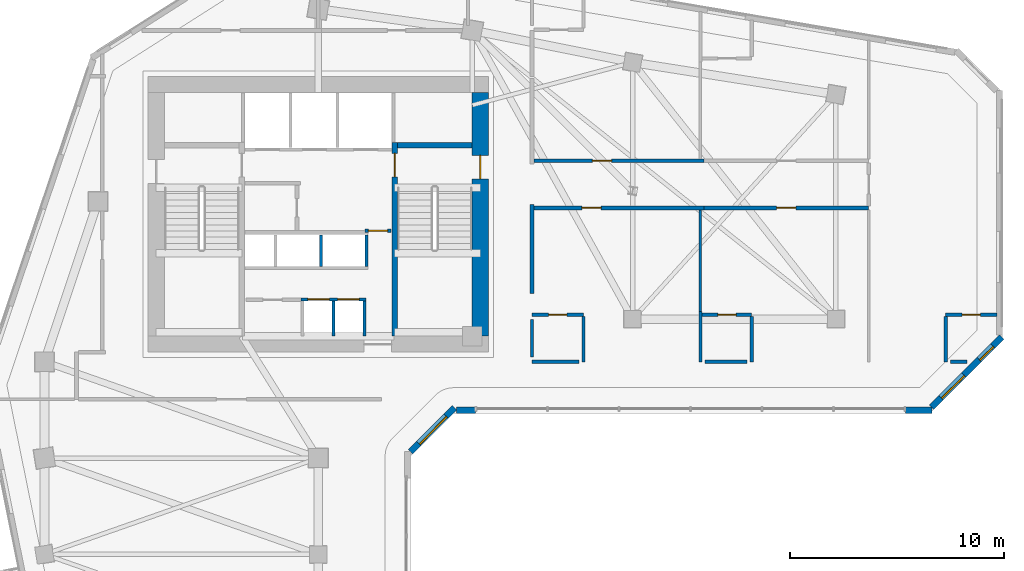
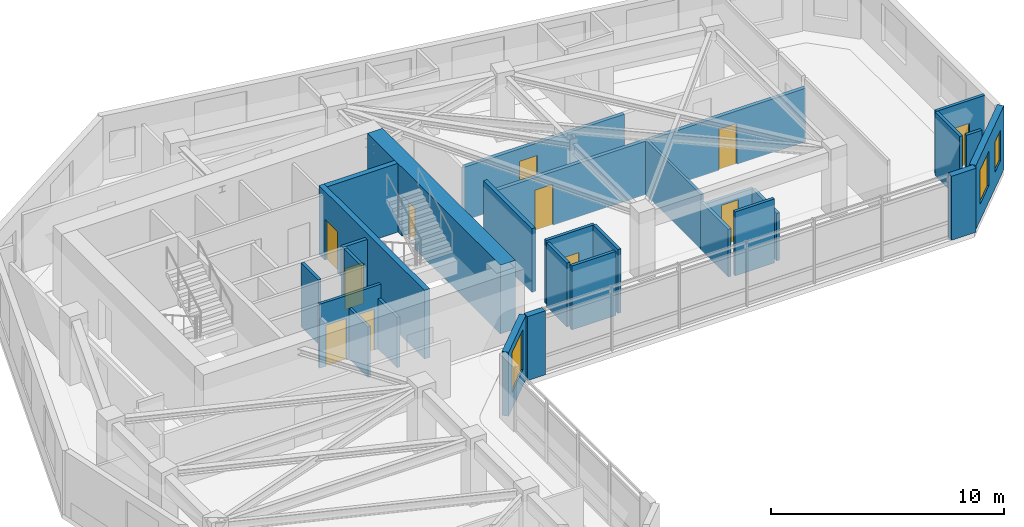
# One storey, part 6 of 11: 29 walls, 11 doors, 3 windows, 14 openings.
"""IFC4 building model written with IfcOpenShell, lengths in metres."""

from ifc_helpers import new_model, si_unit, direction, frame, frame_2d, origin, place, context, subcontext, project, spatial, rectangle, extrude, source, transform, mapped, material, layer, layer_set, type_object, element, fill, save


model = new_model("IFC4")

# Units and contexts
model_context = context("Model", 3, precision=1e-05, world=origin(), true_north=direction((0.0, 1.0)))
body_context = subcontext(model_context, "Body", "Model", "MODEL_VIEW")
ifc_project = project(units=[si_unit("LENGTHUNIT", "METRE"), si_unit("AREAUNIT", "SQUARE_METRE"), si_unit("VOLUMEUNIT", "CUBIC_METRE"), si_unit("PLANEANGLEUNIT", "RADIAN"), si_unit("MASSUNIT", "GRAM", prefix="KILO")], contexts=[model_context])

# Site, building, storey
site_placement = place(None, origin())
site = spatial("IfcSite", under=ifc_project, at=site_placement, CompositionType="ELEMENT")
building_placement = place(site_placement, origin())
building = spatial("IfcBuilding", under=site, at=building_placement, Name="Calvemar Wedge Station Tower", CompositionType="ELEMENT")
storey_placement = place(building_placement, frame((0.0, 0.0, 161.0)))
storey = spatial("IfcBuildingStorey", under=building, at=storey_placement, Name="L40", CompositionType="ELEMENT", Elevation=161.0)

# Wall, opening, door
ifc_material_1 = material(Name="Concrete C50", Category="concrete")
ifc_layer_1 = layer(ifc_material_1, 0.260009765625)
ifc_layer_set_1 = layer_set([ifc_layer_1], Name="Concrete C50")
wall_type_1 = type_object("IfcWallType", Name="SW-CORE-260", PredefinedType="SHEAR", material=ifc_layer_set_1)
wall_1_placement = place(storey_placement, frame((27.3701171875, 34.199951171875, 0.0), z_axis=(0.0, 0.0, 1.0), x_axis=(0.0, 1.0, 0.0)))
wall_1 = element("IfcWall", 1, at=wall_1_placement, inside=storey, type_object=wall_type_1, Name="Storey L40 Core Shear Wall SPINE-E", PredefinedType="SHEAR", context=body_context, shape_type="SweptSolid", body=[
    extrude(rectangle(XDim=9.06005859375, YDim=0.260009765625, at=frame_2d((4.530029296875, 0.0))), origin(), (0.0, 0.0, 1.0), 3.60009765625),
])
shared_shape_1 = source(origin(), body_context, "Body", "SweptSolid", [
    extrude(rectangle(XDim=1.10009765625, YDim=2.14990234375, at=frame_2d((0.550048828125, 1.074951171875))), frame((0.0, 0.14013671875, 0.0), z_axis=(0.0, -1.0, 0.0), x_axis=(1.0, 0.0, 0.0)), (0.0, 0.0, 1.0), 0.280029296875),
])
opening_1_placement = place(wall_1_placement, frame((7.449951171875, 0.0, 0.0)))
opening_1 = element("IfcOpeningElement", 2, at=opening_1_placement, cuts=wall_1, Name="Opening FD-90", PredefinedType="OPENING", context=body_context, shape_type="MappedRepresentation", body=[
    mapped(shared_shape_1, transform((0.0, 0.0, 0.0), scale=1.0)),
])
ifc_material_2 = material(Name="Galvanized fire-rated steel door leaf P-90", Category="steel")
door_type_1 = type_object("IfcDoorType", Name="DR-FD90-1100", OperationType="NOTDEFINED", PredefinedType="DOOR", material=ifc_material_2)
shared_shape_2 = source(origin(), body_context, "Body", "SweptSolid", [
    extrude(rectangle(XDim=1.10009765625, YDim=2.14990234375, at=frame_2d((0.550048828125, 1.074951171875))), frame((0.0, 0.02490234375, 0.0), z_axis=(0.0, -1.0, 0.0), x_axis=(1.0, 0.0, 0.0)), (0.0, 0.0, 1.0), 0.050048828125),
])
door_1_placement = place(opening_1_placement, origin())
door_1 = element("IfcDoor", 3, at=door_1_placement, inside=storey, type_object=door_type_1, Name="L40 FF Lobby to Stair ST-C2 Door", OperationType="SINGLE_SWING_LEFT", OverallHeight=2.14990234375, OverallWidth=1.10009765625, PredefinedType="DOOR", context=body_context, shape_type="MappedRepresentation", body=[
    mapped(shared_shape_2, transform((0.0, 0.0, 0.0), scale=1.0)),
])
fill(opening_1, door_1)

# Wall
wall_2_placement = place(storey_placement, frame((27.5, 43.1298828125, 0.0), z_axis=(0.0, 0.0, 1.0), x_axis=(1.0, 0.0, 0.0)))
element("IfcWall", 4, at=wall_2_placement, inside=storey, type_object=wall_type_1, Name="Storey L40 Core Shear Wall STC2-N", PredefinedType="SHEAR", context=body_context, shape_type="SweptSolid", body=[
    extrude(rectangle(XDim=3.5, YDim=0.260009765625, at=frame_2d((1.75, 0.0))), origin(), (0.0, 0.0, 1.0), 3.60009765625),
])

# Wall, opening, door
ifc_material_3 = material(Name="Concrete C70", Category="concrete")
ifc_layer_2 = layer(ifc_material_3, 0.75)
ifc_layer_set_2 = layer_set([ifc_layer_2], Name="Concrete C70")
wall_type_2 = type_object("IfcWallType", Name="SW-CORE-750", PredefinedType="SHEAR", material=ifc_layer_set_2)
wall_3_placement = place(storey_placement, frame((31.375, 34.199951171875, 0.0), z_axis=(0.0, 0.0, 1.0), x_axis=(0.0, 1.0, 0.0)))
wall_3 = element("IfcWall", 5, at=wall_3_placement, inside=storey, type_object=wall_type_2, Name="Storey L40 Core Shear Wall E", PredefinedType="SHEAR", context=body_context, shape_type="SweptSolid", body=[
    extrude(rectangle(XDim=11.400146484375, YDim=0.75, at=frame_2d((5.7001953125, 0.0))), origin(), (0.0, 0.0, 1.0), 3.60009765625),
])
shared_shape_3 = source(origin(), body_context, "Body", "SweptSolid", [
    extrude(rectangle(XDim=1.10009765625, YDim=2.14990234375, at=frame_2d((0.550048828125, 1.074951171875))), frame((0.0, 0.385009765625, 0.0), z_axis=(0.0, -1.0, 0.0), x_axis=(1.0, 0.0, 0.0)), (0.0, 0.0, 1.0), 0.77001953125),
])
opening_2_placement = place(wall_3_placement, frame((7.35009765625, 0.0, 0.0)))
opening_2 = element("IfcOpeningElement", 6, at=opening_2_placement, cuts=wall_3, Name="Opening FD-90", PredefinedType="OPENING", context=body_context, shape_type="MappedRepresentation", body=[
    mapped(shared_shape_3, transform((0.0, 0.0, 0.0), scale=1.0)),
])
door_2_placement = place(opening_2_placement, origin())
door_2 = element("IfcDoor", 7, at=door_2_placement, inside=storey, type_object=door_type_1, Name="L40 East Corridor to Exit Stair ST-C2 Door", OperationType="SINGLE_SWING_LEFT", OverallHeight=2.14990234375, OverallWidth=1.10009765625, PredefinedType="DOOR", context=body_context, shape_type="MappedRepresentation", body=[
    mapped(shared_shape_2, transform((0.0, 0.0, 0.0), scale=1.0)),
])
fill(opening_2, door_2)

ifc_material_4 = material(Name="Double-stud fire-rated corridor partition")
ifc_layer_3 = layer(ifc_material_4, 0.179931640625)
ifc_layer_set_3 = layer_set([ifc_layer_3], Name="Double-stud fire-rated corridor partition")
wall_type_3 = type_object("IfcWallType", Name="W-CORR-180", PredefinedType="PARTITIONING", material=ifc_layer_set_3)
wall_4_placement = place(storey_placement, frame((27.199951171875, 39.1298828125, 0.0), z_axis=(0.0, 0.0, 1.0), x_axis=(-1.0, 0.0, 0.0)))
wall_4 = element("IfcWall", 8, at=wall_4_placement, inside=storey, type_object=wall_type_3, Name="Storey L40 Interior Partition WL-L40-003", PredefinedType="PARTITIONING", context=body_context, shape_type="SweptSolid", body=[
    extrude(rectangle(XDim=1.2099609375, YDim=0.179931640625, at=frame_2d((0.60498046875, 0.0))), origin(), (0.0, 0.0, 1.0), 3.35009765625),
])
shared_shape_4 = source(origin(), body_context, "Body", "SweptSolid", [
    extrude(rectangle(XDim=0.89990234375, YDim=2.14990234375, at=frame_2d((0.449951171875, 1.074951171875))), frame((0.0, 0.10009765625, 0.0), z_axis=(0.0, -1.0, 0.0), x_axis=(1.0, 0.0, 0.0)), (0.0, 0.0, 1.0), 0.199951171875),
])
opening_3_placement = place(wall_4_placement, frame((0.155029296875, 0.0, 0.0)))
opening_3 = element("IfcOpeningElement", 9, at=opening_3_placement, cuts=wall_4, Name="Opening FD-60", PredefinedType="OPENING", context=body_context, shape_type="MappedRepresentation", body=[
    mapped(shared_shape_4, transform((0.0, 0.0, 0.0), scale=1.0)),
])
ifc_material_5 = material(Name="Fire-rated acoustic timber-core entrance door EI 60", Category="wood")
door_type_2 = type_object("IfcDoorType", Name="DR-FD60-900", OperationType="NOTDEFINED", PredefinedType="DOOR", material=ifc_material_5)
shared_shape_5 = source(origin(), body_context, "Body", "SweptSolid", [
    extrude(rectangle(XDim=0.89990234375, YDim=2.14990234375, at=frame_2d((0.449951171875, 1.074951171875))), frame((0.0, 0.02490234375, 0.0), z_axis=(0.0, -1.0, 0.0), x_axis=(1.0, 0.0, 0.0)), (0.0, 0.0, 1.0), 0.050048828125),
])
door_3_placement = place(opening_3_placement, origin())
door_3 = element("IfcDoor", 10, at=door_3_placement, inside=storey, type_object=door_type_2, Name="L40 Core Service Lobby Door", OperationType="SINGLE_SWING_LEFT", OverallHeight=2.14990234375, OverallWidth=0.89990234375, PredefinedType="DOOR", context=body_context, shape_type="MappedRepresentation", body=[
    mapped(shared_shape_5, transform((0.0, 0.0, 0.0), scale=1.0)),
])
fill(opening_3, door_3)

# Wall
wall_5_placement = place(storey_placement, frame((33.800048828125, 40.360107421875, 0.0), z_axis=(0.0, 0.0, 1.0), x_axis=(0.0, -1.0, 0.0)))
element("IfcWall", 11, at=wall_5_placement, inside=storey, type_object=wall_type_3, Name="Storey L40 Interior Partition WL-L40-014", PredefinedType="PARTITIONING", context=body_context, shape_type="SweptSolid", body=[
    extrude(rectangle(XDim=4.16015625, YDim=0.179931640625, at=frame_2d((2.080078125, 0.0))), origin(), (0.0, 0.0, 1.0), 3.35009765625),
])

# Wall, opening, door
wall_6_placement = place(storey_placement, frame((33.89404296875, 42.39990234375, 0.0), z_axis=(0.0, 0.0, 1.0), x_axis=(1.0, 0.0, 0.0)))
wall_6 = element("IfcWall", 12, at=wall_6_placement, inside=storey, type_object=wall_type_3, Name="Storey L40 Interior Partition WL-L40-017", PredefinedType="PARTITIONING", context=body_context, shape_type="SweptSolid", body=[
    extrude(rectangle(XDim=7.932861328125, YDim=0.179931640625, at=frame_2d((3.96630859375, 0.0))), origin(), (0.0, 0.0, 1.0), 2.802978515625),
])
opening_4_placement = place(wall_6_placement, frame((2.72265625, 0.0, 0.0)))
opening_4 = element("IfcOpeningElement", 13, at=opening_4_placement, cuts=wall_6, Name="Opening FD-60", PredefinedType="OPENING", context=body_context, shape_type="MappedRepresentation", body=[
    mapped(shared_shape_4, transform((0.0, 0.0, 0.0), scale=1.0)),
])
door_4_placement = place(opening_4_placement, origin())
door_4 = element("IfcDoor", 14, at=door_4_placement, inside=storey, type_object=door_type_2, Name="L40 Hotel Guest Room Door", OperationType="SINGLE_SWING_LEFT", OverallHeight=2.14990234375, OverallWidth=0.89990234375, PredefinedType="DOOR", context=body_context, shape_type="MappedRepresentation", body=[
    mapped(shared_shape_5, transform((0.0, 0.0, 0.0), scale=1.0)),
])
fill(opening_4, door_4)

wall_7_placement = place(storey_placement, frame((41.826904296875, 40.199951171875, 0.0), z_axis=(0.0, 0.0, 1.0), x_axis=(-1.0, 0.0, 0.0)))
wall_7 = element("IfcWall", 15, at=wall_7_placement, inside=storey, type_object=wall_type_3, Name="Storey L40 Interior Partition WL-L40-018", PredefinedType="PARTITIONING", context=body_context, shape_type="SweptSolid", body=[
    extrude(rectangle(XDim=7.932861328125, YDim=0.179931640625, at=frame_2d((3.96630859375, 0.0))), origin(), (0.0, 0.0, 1.0), 2.802978515625),
])
opening_5_placement = place(wall_7_placement, frame((4.798828125, 0.0, 0.0)))
opening_5 = element("IfcOpeningElement", 16, at=opening_5_placement, cuts=wall_7, Name="Opening FD-60", PredefinedType="OPENING", context=body_context, shape_type="MappedRepresentation", body=[
    mapped(shared_shape_4, transform((0.0, 0.0, 0.0), scale=1.0)),
])
door_5_placement = place(opening_5_placement, origin())
door_5 = element("IfcDoor", 17, at=door_5_placement, inside=storey, type_object=door_type_2, Name="L40 Hotel Guest Room Door", OperationType="SINGLE_SWING_LEFT", OverallHeight=2.14990234375, OverallWidth=0.89990234375, PredefinedType="DOOR", context=body_context, shape_type="MappedRepresentation", body=[
    mapped(shared_shape_5, transform((0.0, 0.0, 0.0), scale=1.0)),
])
fill(opening_5, door_5)

wall_8_placement = place(storey_placement, frame((49.534912109375, 40.199951171875, 0.0), z_axis=(0.0, 0.0, 1.0), x_axis=(-1.0, 0.0, 0.0)))
wall_8 = element("IfcWall", 18, at=wall_8_placement, inside=storey, type_object=wall_type_3, Name="Storey L40 Interior Partition WL-L40-020", PredefinedType="PARTITIONING", context=body_context, shape_type="SweptSolid", body=[
    extrude(rectangle(XDim=7.705810546875, YDim=0.179931640625, at=frame_2d((3.85302734375, 0.0))), origin(), (0.0, 0.0, 1.0), 2.802978515625),
])
opening_6_placement = place(wall_8_placement, frame((3.403076171875, 0.0, 0.0)))
opening_6 = element("IfcOpeningElement", 19, at=opening_6_placement, cuts=wall_8, Name="Opening FD-60", PredefinedType="OPENING", context=body_context, shape_type="MappedRepresentation", body=[
    mapped(shared_shape_4, transform((0.0, 0.0, 0.0), scale=1.0)),
])
door_6_placement = place(opening_6_placement, origin())
door_6 = element("IfcDoor", 20, at=door_6_placement, inside=storey, type_object=door_type_2, Name="L40 Hotel Guest Room Door", OperationType="SINGLE_SWING_LEFT", OverallHeight=2.14990234375, OverallWidth=0.89990234375, PredefinedType="DOOR", context=body_context, shape_type="MappedRepresentation", body=[
    mapped(shared_shape_5, transform((0.0, 0.0, 0.0), scale=1.0)),
])
fill(opening_6, door_6)

# Wall, opening, window
ifc_material_6 = material(Name="Precast concrete C45", Category="concrete")
ifc_layer_4 = layer(ifc_material_6, 0.300048828125)
ifc_layer_set_4 = layer_set([ifc_layer_4], Name="Precast concrete C45")
wall_type_4 = type_object("IfcWallType", Name="W-EXT-GFRC-300", PredefinedType="SOLIDWALL", material=ifc_layer_set_4)
wall_9_placement = place(storey_placement, frame((28.115966796875, 28.7919921875, 0.0), z_axis=(0.0, 0.0, 1.0), x_axis=(0.707064797706, 0.707148762175, 0.0)))
wall_9 = element("IfcWall", 21, at=wall_9_placement, inside=storey, type_object=wall_type_4, Name="Storey L40 Bronze GFRC Exterior Wall 5", PredefinedType="SOLIDWALL", context=body_context, shape_type="SweptSolid", body=[
    extrude(rectangle(XDim=2.90771484375, YDim=0.300048828125, at=frame_2d((1.453857421875, 0.0))), origin(), (0.0, 0.0, 1.0), 3.35009765625),
])
shared_shape_6 = source(origin(), body_context, "Body", "SweptSolid", [
    extrude(rectangle(XDim=1.800048828125, YDim=2.10009765625, at=frame_2d((0.89990234375, 1.050048828125))), frame((0.0, 0.16015625, 0.0), z_axis=(0.0, -1.0, 0.0), x_axis=(1.0, 0.0, 0.0)), (0.0, 0.0, 1.0), 0.320068359375),
])
opening_7_placement = place(wall_9_placement, frame((0.553955078125, 0.0, 0.85009765625)))
opening_7 = element("IfcOpeningElement", 22, at=opening_7_placement, cuts=wall_9, Name="Opening W2", PredefinedType="OPENING", context=body_context, shape_type="MappedRepresentation", body=[
    mapped(shared_shape_6, transform((0.0, 0.0, 0.0), scale=1.0)),
])
ifc_material_7 = material(Name="Low-E laminated insulated glass", Category="glass")
window_type_1 = type_object("IfcWindowType", Name="WIN-EXT-2", PartitioningType="SINGLE_PANEL", PredefinedType="WINDOW", material=ifc_material_7)
shared_shape_7 = source(origin(), body_context, "Body", "SweptSolid", [
    extrude(rectangle(XDim=1.800048828125, YDim=2.10009765625, at=frame_2d((0.89990234375, 1.050048828125))), frame((0.0, -0.014892578125, 0.0), z_axis=(0.0, -1.0, 0.0), x_axis=(1.0, 0.0, 0.0)), (0.0, 0.0, 1.0), 0.06005859375),
])
window_1_placement = place(opening_7_placement, origin())
window_1 = element("IfcWindow", 23, at=window_1_placement, inside=storey, type_object=window_type_1, Name="Storey L40 Recessed Window 5.1", OverallHeight=2.10009765625, OverallWidth=1.800048828125, PartitioningType="SINGLE_PANEL", PredefinedType="WINDOW", context=body_context, shape_type="MappedRepresentation", body=[
    mapped(shared_shape_7, transform((0.0, 0.0, 0.0), scale=1.0)),
])
fill(opening_7, window_1)

# Walls
wall_10_placement = place(storey_placement, frame((30.260986328125, 30.741943359375, 0.0), z_axis=(0.0, 0.0, 1.0), x_axis=(1.0, 0.0, 0.0)))
element("IfcWall", 24, at=wall_10_placement, inside=storey, type_object=wall_type_4, Name="Storey L40 Bronze GFRC Corner Pier 6A", PredefinedType="SOLIDWALL", context=body_context, shape_type="SweptSolid", body=[
    extrude(rectangle(XDim=0.88232421875, YDim=0.300048828125, at=frame_2d((0.441162109375, 0.0))), origin(), (0.0, 0.0, 1.0), 3.35009765625),
])
wall_11_placement = place(storey_placement, frame((51.260498046875, 30.741943359375, 0.0), z_axis=(0.0, 0.0, 1.0), x_axis=(1.0, 0.0, 0.0)))
element("IfcWall", 25, at=wall_11_placement, inside=storey, type_object=wall_type_4, Name="Storey L40 Bronze GFRC Corner Pier 6B", PredefinedType="SOLIDWALL", context=body_context, shape_type="SweptSolid", body=[
    extrude(rectangle(XDim=1.227294921875, YDim=0.300048828125, at=frame_2d((0.61376953125, 0.0))), origin(), (0.0, 0.0, 1.0), 3.35009765625),
])

# Wall, openings, windows
wall_12_placement = place(storey_placement, frame((52.475830078125, 30.8798828125, 0.0), z_axis=(0.0, 0.0, 1.0), x_axis=(0.707106781187, 0.707106781187, 0.0)))
wall_12 = element("IfcWall", 26, at=wall_12_placement, inside=storey, type_object=wall_type_4, Name="Storey L40 Bronze GFRC Exterior Wall 7", PredefinedType="SOLIDWALL", context=body_context, shape_type="SweptSolid", body=[
    extrude(rectangle(XDim=4.638916015625, YDim=0.300048828125, at=frame_2d((2.3193359375, 0.0))), origin(), (0.0, 0.0, 1.0), 3.35009765625),
])
shared_shape_8 = source(origin(), body_context, "Body", "SweptSolid", [
    extrude(rectangle(XDim=1.5, YDim=1.800048828125, at=frame_2d((0.75, 0.89990234375))), frame((0.0, 0.16015625, 0.0), z_axis=(0.0, -1.0, 0.0), x_axis=(1.0, 0.0, 0.0)), (0.0, 0.0, 1.0), 0.320068359375),
])
opening_8_placement = place(wall_12_placement, frame((0.632080078125, 0.0, 0.85009765625)))
opening_8 = element("IfcOpeningElement", 27, at=opening_8_placement, cuts=wall_12, Name="Opening W3", PredefinedType="OPENING", context=body_context, shape_type="MappedRepresentation", body=[
    mapped(shared_shape_8, transform((0.0, 0.0, 0.0), scale=1.0)),
])
shared_shape_9 = source(origin(), body_context, "Body", "SweptSolid", [
    extrude(rectangle(XDim=0.89990234375, YDim=1.60009765625, at=frame_2d((0.449951171875, 0.800048828125))), frame((0.0, 0.16015625, 0.0), z_axis=(0.0, -1.0, 0.0), x_axis=(1.0, 0.0, 0.0)), (0.0, 0.0, 1.0), 0.320068359375),
])
opening_9_placement = place(wall_12_placement, frame((3.15087890625, 0.0, 0.85009765625)))
opening_9 = element("IfcOpeningElement", 28, at=opening_9_placement, cuts=wall_12, Name="Opening W7", PredefinedType="OPENING", context=body_context, shape_type="MappedRepresentation", body=[
    mapped(shared_shape_9, transform((0.0, 0.0, 0.0), scale=1.0)),
])
window_type_2 = type_object("IfcWindowType", Name="WIN-EXT-3", PartitioningType="SINGLE_PANEL", PredefinedType="WINDOW", material=ifc_material_7)
shared_shape_10 = source(origin(), body_context, "Body", "SweptSolid", [
    extrude(rectangle(XDim=1.5, YDim=1.800048828125, at=frame_2d((0.75, 0.89990234375))), frame((0.0, -0.014892578125, 0.0), z_axis=(0.0, -1.0, 0.0), x_axis=(1.0, 0.0, 0.0)), (0.0, 0.0, 1.0), 0.06005859375),
])
window_2_placement = place(opening_8_placement, origin())
window_2 = element("IfcWindow", 29, at=window_2_placement, inside=storey, type_object=window_type_2, Name="Storey L40 Recessed Window 7.1", OverallHeight=1.800048828125, OverallWidth=1.5, PartitioningType="SINGLE_PANEL", PredefinedType="WINDOW", context=body_context, shape_type="MappedRepresentation", body=[
    mapped(shared_shape_10, transform((0.0, 0.0, 0.0), scale=1.0)),
])
fill(opening_8, window_2)
window_type_3 = type_object("IfcWindowType", Name="WIN-EXT-7", PartitioningType="SINGLE_PANEL", PredefinedType="WINDOW", material=ifc_material_7)
shared_shape_11 = source(origin(), body_context, "Body", "SweptSolid", [
    extrude(rectangle(XDim=0.89990234375, YDim=1.60009765625, at=frame_2d((0.449951171875, 0.800048828125))), frame((0.0, -0.014892578125, 0.0), z_axis=(0.0, -1.0, 0.0), x_axis=(1.0, 0.0, 0.0)), (0.0, 0.0, 1.0), 0.06005859375),
])
window_3_placement = place(opening_9_placement, origin())
window_3 = element("IfcWindow", 30, at=window_3_placement, inside=storey, type_object=window_type_3, Name="Storey L40 Recessed Window 7.2", OverallHeight=1.60009765625, OverallWidth=0.89990234375, PartitioningType="SINGLE_PANEL", PredefinedType="WINDOW", context=body_context, shape_type="MappedRepresentation", body=[
    mapped(shared_shape_11, transform((0.0, 0.0, 0.0), scale=1.0)),
])
fill(opening_9, window_3)

# Wall, openings, doors
ifc_material_8 = material(Name="Reinforced concrete blockwork lift shaft wall", Category="masonry")
ifc_layer_5 = layer(ifc_material_8, 0.139892578125)
ifc_layer_set_5 = layer_set([ifc_layer_5], Name="Reinforced concrete blockwork lift shaft wall")
wall_type_5 = type_object("IfcWallType", Name="W-LIFT-160", PredefinedType="SOLIDWALL", material=ifc_layer_set_5)
wall_13_placement = place(storey_placement, frame((23.0, 35.919921875, 0.0), z_axis=(0.0, 0.0, 1.0), x_axis=(1.0, 0.0, 0.0)))
wall_13 = element("IfcWall", 31, at=wall_13_placement, inside=storey, type_object=wall_type_5, Name="Storey L40 South Passenger Lift Bank Front Wall", PredefinedType="SOLIDWALL", context=body_context, shape_type="SweptSolid", body=[
    extrude(rectangle(XDim=3.030029296875, YDim=0.139892578125, at=frame_2d((1.51513671875, 0.0))), origin(), (0.0, 0.0, 1.0), 3.35009765625),
])
shared_shape_12 = source(origin(), body_context, "Body", "SweptSolid", [
    extrude(rectangle(XDim=1.0, YDim=2.14990234375, at=frame_2d((0.5, 1.074951171875))), frame((0.0, 0.080078125, 0.0), z_axis=(0.0, -1.0, 0.0), x_axis=(1.0, 0.0, 0.0)), (0.0, 0.0, 1.0), 0.159912109375),
])
opening_10_placement = place(wall_13_placement, frame((0.320068359375, 0.0, 0.0)))
opening_10 = element("IfcOpeningElement", 32, at=opening_10_placement, cuts=wall_13, Name="Opening LD-PAX", PredefinedType="OPENING", context=body_context, shape_type="MappedRepresentation", body=[
    mapped(shared_shape_12, transform((0.0, 0.0, 0.0), scale=1.0)),
])
opening_11_placement = place(wall_13_placement, frame((1.7099609375, 0.0, 0.0)))
opening_11 = element("IfcOpeningElement", 33, at=opening_11_placement, cuts=wall_13, Name="Opening LD-PAX", PredefinedType="OPENING", context=body_context, shape_type="MappedRepresentation", body=[
    mapped(shared_shape_12, transform((0.0, 0.0, 0.0), scale=1.0)),
])
ifc_material_9 = material(Name="Anodised bronze passenger lift sliding landing door")
door_type_3 = type_object("IfcDoorType", Name="DR-LD-PAX-1000", OperationType="SLIDING_TO_LEFT", PredefinedType="DOOR", material=ifc_material_9)
shared_shape_13 = source(origin(), body_context, "Body", "SweptSolid", [
    extrude(rectangle(XDim=1.0, YDim=2.14990234375, at=frame_2d((0.5, 1.074951171875))), frame((0.0, 0.02490234375, 0.0), z_axis=(0.0, -1.0, 0.0), x_axis=(1.0, 0.0, 0.0)), (0.0, 0.0, 1.0), 0.050048828125),
])
door_7_placement = place(opening_10_placement, origin())
door_7 = element("IfcDoor", 34, at=door_7_placement, inside=storey, type_object=door_type_3, Name="L40 Lift HL-01 Sliding Landing Door", OperationType="SLIDING_TO_LEFT", OverallHeight=2.14990234375, OverallWidth=1.0, PredefinedType="DOOR", context=body_context, shape_type="MappedRepresentation", body=[
    mapped(shared_shape_13, transform((0.0, 0.0, 0.0), scale=1.0)),
])
fill(opening_10, door_7)
door_8_placement = place(opening_11_placement, origin())
door_8 = element("IfcDoor", 35, at=door_8_placement, inside=storey, type_object=door_type_3, Name="L40 Lift HL-02 Sliding Landing Door", OperationType="SLIDING_TO_RIGHT", OverallHeight=2.14990234375, OverallWidth=1.0, PredefinedType="DOOR", context=body_context, shape_type="MappedRepresentation", body=[
    mapped(shared_shape_13, transform((0.0, 0.0, 0.0), scale=1.0)),
])
fill(opening_11, door_8)

# Walls
for number, where, z_axis, x_axis, name in (
    (36, (25.9599609375, 34.219970703125, 0.0), (0.0, 0.0, 1.0), (0.0, 1.0, 0.0), "Storey L40 South Passenger Lift Shaft Wall E"),
    (37, (24.514892578125, 34.219970703125, 0.0), (0.0, 0.0, 1.0), (0.0, 1.0, 0.0), "Storey L40 South Passenger Lift Shaft Wall D1"),
):
    element("IfcWall", number, at=place(storey_placement, frame(where, z_axis=z_axis, x_axis=x_axis)), inside=storey, type_object=wall_type_5, Name=name, PredefinedType="SOLIDWALL", context=body_context, shape_type="SweptSolid", body=[
        extrude(rectangle(XDim=1.6201171875, YDim=0.139892578125, at=frame_2d((0.81005859375, 0.0))), origin(), (0.0, 0.0, 1.0), 2.64208984375),
    ])
for number, where, z_axis, x_axis, name in (
    (38, (26.06005859375, 37.4599609375, 0.0), (0.0, 0.0, 1.0), (0.0, 1.0, 0.0), "Storey L40 Upper Passenger Lift Shaft Wall E"),
    (39, (23.93505859375, 37.4599609375, 0.0), (0.0, 0.0, 1.0), (0.0, 1.0, 0.0), "Storey L40 Upper Passenger Lift Shaft Wall D2"),
):
    element("IfcWall", number, at=place(storey_placement, frame(where, z_axis=z_axis, x_axis=x_axis)), inside=storey, type_object=wall_type_5, Name=name, PredefinedType="SOLIDWALL", context=body_context, shape_type="SweptSolid", body=[
        extrude(rectangle(XDim=1.47998046875, YDim=0.139892578125, at=frame_2d((0.739990234375, 0.0))), origin(), (0.0, 0.0, 1.0), 3.35009765625),
    ])
ifc_material_10 = material(Name="Insulated acoustic gypsum stud partition")
ifc_layer_6 = layer(ifc_material_10, 0.125)
ifc_layer_set_6 = layer_set([ifc_layer_6], Name="Insulated acoustic gypsum stud partition")
wall_type_6 = type_object("IfcWallType", Name="W-PART-125", PredefinedType="PARTITIONING", material=ifc_layer_set_6)
wall_14_placement = place(storey_placement, frame((41.6669921875, 40.10595703125, 0.0), z_axis=(0.0, 0.0, 1.0), x_axis=(0.0, -1.0, 0.0)))
element("IfcWall", 40, at=wall_14_placement, inside=storey, type_object=wall_type_6, Name="Storey L40 Interior Partition WL-L40-029", PredefinedType="PARTITIONING", context=body_context, shape_type="SweptSolid", body=[
    extrude(rectangle(XDim=4.743896484375, YDim=0.125, at=frame_2d((2.3720703125, 0.0))), origin(), (0.0, 0.0, 1.0), 2.87890625),
])

# Wall, opening, door
ifc_material_11 = material(Name="Moisture-resistant acoustic bathroom partition")
ifc_layer_7 = layer(ifc_material_11, 0.14990234375)
ifc_layer_set_7 = layer_set([ifc_layer_7], Name="Moisture-resistant acoustic bathroom partition")
wall_type_7 = type_object("IfcWallType", Name="W-WET-150", PredefinedType="PARTITIONING", material=ifc_layer_set_7)
wall_15_placement = place(storey_placement, frame((33.800048828125, 35.199951171875, 0.0), z_axis=(0.0, 0.0, 1.0), x_axis=(1.0, 0.0, 0.0)))
wall_15 = element("IfcWall", 41, at=wall_15_placement, inside=storey, type_object=wall_type_7, Name="Storey L40 Interior Partition WL-L40-026", PredefinedType="PARTITIONING", context=body_context, shape_type="SweptSolid", body=[
    extrude(rectangle(XDim=2.39990234375, YDim=0.14990234375, at=frame_2d((1.199951171875, 0.0))), origin(), (0.0, 0.0, 1.0), 3.35009765625),
])
shared_shape_14 = source(origin(), body_context, "Body", "SweptSolid", [
    extrude(rectangle(XDim=0.85009765625, YDim=2.14990234375, at=frame_2d((0.425048828125, 1.074951171875))), frame((0.0, 0.0849609375, 0.0), z_axis=(0.0, -1.0, 0.0), x_axis=(1.0, 0.0, 0.0)), (0.0, 0.0, 1.0), 0.169921875),
])
opening_12_placement = place(wall_15_placement, frame((0.77490234375, 0.0, 0.0)))
opening_12 = element("IfcOpeningElement", 42, at=opening_12_placement, cuts=wall_15, Name="Opening D-02", PredefinedType="OPENING", context=body_context, shape_type="MappedRepresentation", body=[
    mapped(shared_shape_14, transform((0.0, 0.0, 0.0), scale=1.0)),
])
ifc_material_12 = material(Name="Moisture-sealed bathroom hardwood swing door", Category="wood")
door_type_4 = type_object("IfcDoorType", Name="DR-WET-850", OperationType="NOTDEFINED", PredefinedType="DOOR", material=ifc_material_12)
shared_shape_15 = source(origin(), body_context, "Body", "SweptSolid", [
    extrude(rectangle(XDim=0.85009765625, YDim=2.14990234375, at=frame_2d((0.425048828125, 1.074951171875))), frame((0.0, 0.02490234375, 0.0), z_axis=(0.0, -1.0, 0.0), x_axis=(1.0, 0.0, 0.0)), (0.0, 0.0, 1.0), 0.050048828125),
])
door_9_placement = place(opening_12_placement, origin())
door_9 = element("IfcDoor", 43, at=door_9_placement, inside=storey, type_object=door_type_4, Name="L40 En-Suite Bathroom Door", OperationType="SINGLE_SWING_RIGHT", OverallHeight=2.14990234375, OverallWidth=0.85009765625, PredefinedType="DOOR", context=body_context, shape_type="MappedRepresentation", body=[
    mapped(shared_shape_15, transform((0.0, 0.0, 0.0), scale=1.0)),
])
fill(opening_12, door_9)

# Walls
wall_16_placement = place(storey_placement, frame((36.199951171875, 35.12109375, 0.0), z_axis=(0.0, 0.0, 1.0), x_axis=(0.0, -1.0, 0.0)))
element("IfcWall", 44, at=wall_16_placement, inside=storey, type_object=wall_type_7, Name="Storey L40 Interior Partition WL-L40-027", PredefinedType="PARTITIONING", context=body_context, shape_type="SweptSolid", body=[
    extrude(rectangle(XDim=2.12109375, YDim=0.14990234375, at=frame_2d((1.060546875, 0.0))), origin(), (0.0, 0.0, 1.0), 3.35009765625),
])
wall_17_placement = place(storey_placement, frame((41.6669921875, 35.360107421875, 0.0), z_axis=(0.0, 0.0, 1.0), x_axis=(0.0, -1.0, 0.0)))
element("IfcWall", 45, at=wall_17_placement, inside=storey, type_object=wall_type_7, Name="Storey L40 Interior Partition WL-L40-028", PredefinedType="PARTITIONING", context=body_context, shape_type="SweptSolid", body=[
    extrude(rectangle(XDim=2.360107421875, YDim=0.14990234375, at=frame_2d((1.18017578125, 0.0))), origin(), (0.0, 0.0, 1.0), 2.491943359375),
])

# Wall, opening, door
wall_18_placement = place(storey_placement, frame((41.74609375, 35.199951171875, 0.0), z_axis=(0.0, 0.0, 1.0), x_axis=(1.0, 0.0, 0.0)))
wall_18 = element("IfcWall", 46, at=wall_18_placement, inside=storey, type_object=wall_type_7, Name="Storey L40 Interior Partition WL-L40-033", PredefinedType="PARTITIONING", context=body_context, shape_type="SweptSolid", body=[
    extrude(rectangle(XDim=2.32080078125, YDim=0.14990234375, at=frame_2d((1.160400390625, 0.0))), origin(), (0.0, 0.0, 1.0), 2.491943359375),
])
opening_13_placement = place(wall_18_placement, frame((0.735595703125, 0.0, 0.0)))
opening_13 = element("IfcOpeningElement", 47, at=opening_13_placement, cuts=wall_18, Name="Opening D-02", PredefinedType="OPENING", context=body_context, shape_type="MappedRepresentation", body=[
    mapped(shared_shape_14, transform((0.0, 0.0, 0.0), scale=1.0)),
])
door_10_placement = place(opening_13_placement, origin())
door_10 = element("IfcDoor", 48, at=door_10_placement, inside=storey, type_object=door_type_4, Name="L40 En-Suite Bathroom Door", OperationType="SINGLE_SWING_RIGHT", OverallHeight=2.14990234375, OverallWidth=0.85009765625, PredefinedType="DOOR", context=body_context, shape_type="MappedRepresentation", body=[
    mapped(shared_shape_15, transform((0.0, 0.0, 0.0), scale=1.0)),
])
fill(opening_13, door_10)

# Wall
wall_19_placement = place(storey_placement, frame((44.06689453125, 35.12109375, 0.0), z_axis=(0.0, 0.0, 1.0), x_axis=(0.0, -1.0, 0.0)))
element("IfcWall", 49, at=wall_19_placement, inside=storey, type_object=wall_type_7, Name="Storey L40 Interior Partition WL-L40-034", PredefinedType="PARTITIONING", context=body_context, shape_type="SweptSolid", body=[
    extrude(rectangle(XDim=2.12109375, YDim=0.14990234375, at=frame_2d((1.060546875, 0.0))), origin(), (0.0, 0.0, 1.0), 2.491943359375),
])

# Wall, opening, door
wall_20_placement = place(storey_placement, frame((53.135009765625, 35.199951171875, 0.0), z_axis=(0.0, 0.0, 1.0), x_axis=(1.0, 0.0, 0.0)))
wall_20 = element("IfcWall", 50, at=wall_20_placement, inside=storey, type_object=wall_type_7, Name="Storey L40 Interior Partition WL-L40-036", PredefinedType="PARTITIONING", context=body_context, shape_type="SweptSolid", body=[
    extrude(rectangle(XDim=2.39990234375, YDim=0.14990234375, at=frame_2d((1.199951171875, 0.0))), origin(), (0.0, 0.0, 1.0), 3.35009765625),
])
opening_14_placement = place(wall_20_placement, frame((0.77490234375, 0.0, 0.0)))
opening_14 = element("IfcOpeningElement", 51, at=opening_14_placement, cuts=wall_20, Name="Opening D-02", PredefinedType="OPENING", context=body_context, shape_type="MappedRepresentation", body=[
    mapped(shared_shape_14, transform((0.0, 0.0, 0.0), scale=1.0)),
])
door_11_placement = place(opening_14_placement, origin())
door_11 = element("IfcDoor", 52, at=door_11_placement, inside=storey, type_object=door_type_4, Name="L40 En-Suite Bathroom Door", OperationType="SINGLE_SWING_RIGHT", OverallHeight=2.14990234375, OverallWidth=0.85009765625, PredefinedType="DOOR", context=body_context, shape_type="MappedRepresentation", body=[
    mapped(shared_shape_15, transform((0.0, 0.0, 0.0), scale=1.0)),
])
fill(opening_14, door_11)

# Walls
wall_21_placement = place(storey_placement, frame((53.135009765625, 33.0, 0.0), z_axis=(0.0, 0.0, 1.0), x_axis=(0.0, 1.0, 0.0)))
element("IfcWall", 53, at=wall_21_placement, inside=storey, type_object=wall_type_7, Name="Storey L40 Interior Partition WL-L40-037", PredefinedType="PARTITIONING", context=body_context, shape_type="SweptSolid", body=[
    extrude(rectangle(XDim=2.12109375, YDim=0.14990234375, at=frame_2d((1.060546875, 0.0))), origin(), (0.0, 0.0, 1.0), 3.35009765625),
])
wall_22_placement = place(storey_placement, frame((35.97998046875, 33.0, 0.0), z_axis=(0.0, 0.0, 1.0), x_axis=(-1.0, 0.0, 0.0)))
element("IfcWall", 54, at=wall_22_placement, inside=storey, type_object=wall_type_7, Name="Storey L40 Bathroom Enclosure Wall WL-L40-043", PredefinedType="PARTITIONING", context=body_context, shape_type="SweptSolid", body=[
    extrude(rectangle(XDim=2.179931640625, YDim=0.14990234375, at=frame_2d((1.08984375, 0.0))), origin(), (0.0, 0.0, 1.0), 3.35009765625),
])
wall_23_placement = place(storey_placement, frame((33.800048828125, 33.219970703125, 0.0), z_axis=(0.0, 0.0, 1.0), x_axis=(0.0, 1.0, 0.0)))
element("IfcWall", 55, at=wall_23_placement, inside=storey, type_object=wall_type_7, Name="Storey L40 Bathroom Enclosure Wall WL-L40-044", PredefinedType="PARTITIONING", context=body_context, shape_type="SweptSolid", body=[
    extrude(rectangle(XDim=1.760009765625, YDim=0.14990234375, at=frame_2d((0.8798828125, 0.0))), origin(), (0.0, 0.0, 1.0), 3.35009765625),
])
wall_24_placement = place(storey_placement, frame((43.846923828125, 33.0, 0.0), z_axis=(0.0, 0.0, 1.0), x_axis=(-1.0, 0.0, 0.0)))
element("IfcWall", 56, at=wall_24_placement, inside=storey, type_object=wall_type_7, Name="Storey L40 Bathroom Enclosure Wall WL-L40-045", PredefinedType="PARTITIONING", context=body_context, shape_type="SweptSolid", body=[
    extrude(rectangle(XDim=1.9599609375, YDim=0.14990234375, at=frame_2d((0.97998046875, 0.0))), origin(), (0.0, 0.0, 1.0), 3.35009765625),
])
wall_25_placement = place(storey_placement, frame((54.1220703125, 33.0, 0.0), z_axis=(0.0, 0.0, 1.0), x_axis=(-1.0, 0.0, 0.0)))
element("IfcWall", 57, at=wall_25_placement, inside=storey, type_object=wall_type_7, Name="Storey L40 Bathroom Enclosure Wall WL-L40-046", PredefinedType="PARTITIONING", context=body_context, shape_type="SweptSolid", body=[
    extrude(rectangle(XDim=0.76708984375, YDim=0.14990234375, at=frame_2d((0.383544921875, 0.0))), origin(), (0.0, 0.0, 1.0), 3.35009765625),
])

save(model, "model.ifc")
